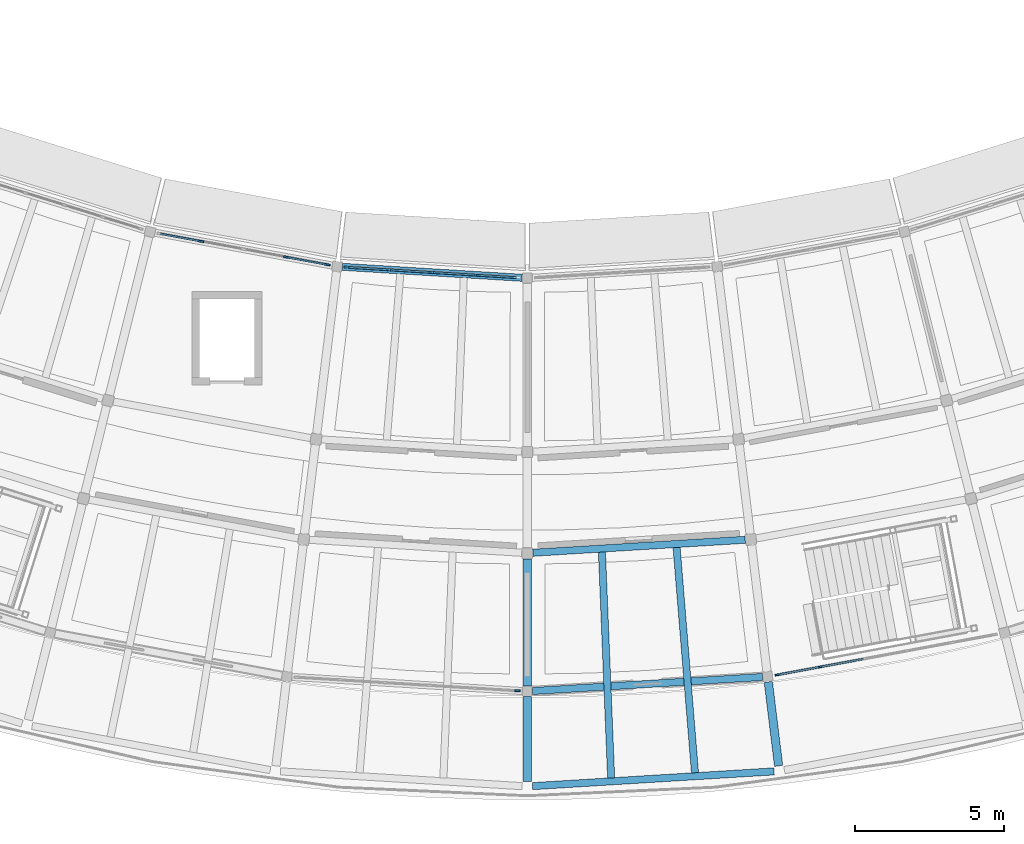
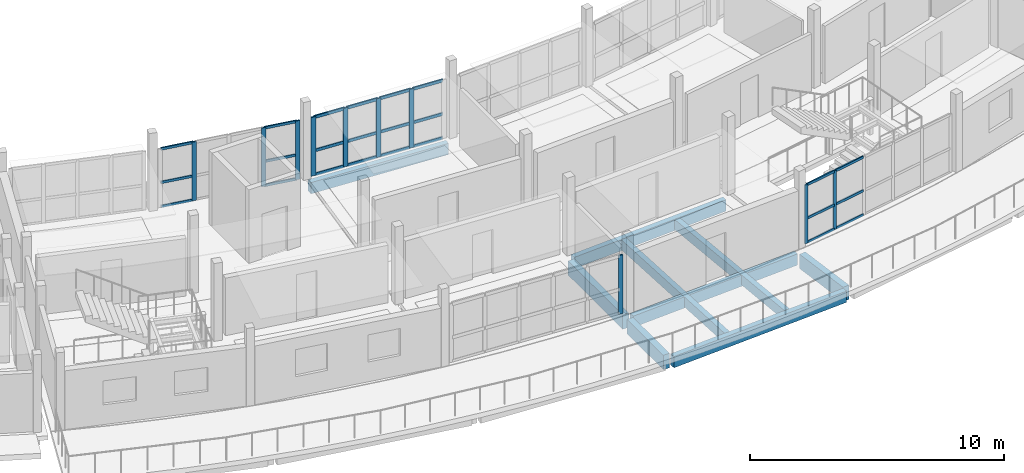
# One storey, part 10 of 24: 34 members, 9 beams, 4 elements without a shape of their own.
"""IFC4 building model written with IfcOpenShell, lengths in metres."""

from ifc_helpers import new_model, si_unit, direction, frame, origin, origin_2d, place, context, subcontext, project, spatial, rectangle, extrude, material, layer, layer_set, material_profile, profile_set, type_object, element, aggregate, save


model = new_model("IFC4")

# Units and contexts
model_context = context("Model", 3, precision=1e-05, world=origin(), true_north=direction((0.0, 1.0)))
body_context = subcontext(model_context, "Body", "Model", "MODEL_VIEW")
ifc_project = project(units=[si_unit("LENGTHUNIT", "METRE"), si_unit("AREAUNIT", "SQUARE_METRE"), si_unit("VOLUMEUNIT", "CUBIC_METRE"), si_unit("PLANEANGLEUNIT", "RADIAN"), si_unit("MASSUNIT", "GRAM", prefix="KILO")], contexts=[model_context])

# Site, building, storey
site_placement = place(None, origin())
site = spatial("IfcSite", under=ifc_project, at=site_placement, CompositionType="ELEMENT")
building_placement = place(site_placement, origin())
building = spatial("IfcBuilding", under=site, at=building_placement, Name="Caldaven Crescent School", CompositionType="ELEMENT")
storey_placement = place(building_placement, frame((0.0, 0.0, 15.639892578125)))
storey = spatial("IfcBuildingStorey", under=building, at=storey_placement, Name="L04", CompositionType="ELEMENT", Elevation=15.639892578125)

# Beams
ifc_material_1 = material(Name="Glulam MLE24h (GL28h)", Category="wood")
ifc_material_profile_1 = material_profile(ifc_material_1, rectangle(XDim=0.239990234375, YDim=0.5400390625, at=origin_2d()), Name="MLE 240x540")
ifc_profile_set_1 = profile_set([ifc_material_profile_1], Name="Glulam MLE24h (GL28h)")
beam_type_1 = type_object("IfcBeamType", Name="BM-GL54", PredefinedType="BEAM", material=ifc_profile_set_1)
beam_1_placement = place(storey_placement, frame((88.189697265625, 34.3115234375, -0.5), z_axis=(0.998134176177, 0.061058712299, 0.0), x_axis=(-0.061058712299, 0.998134176177, 0.0)))
element("IfcBeam", 1, at=beam_1_placement, inside=storey, type_object=beam_type_1, Name="BMT-V5-L04-1604", PredefinedType="BEAM", context=body_context, shape_type="SweptSolid", body=[
    extrude(rectangle(XDim=0.239990234375, YDim=0.5400390625, at=origin_2d()), origin(), (0.0, 0.0, 1.0), 7.1533203125),
])
beam_2_placement = place(storey_placement, frame((88.174560546875, 29.66064453125, -0.5), z_axis=(0.998135265601, 0.061040900749, 0.0), x_axis=(-0.061040900749, 0.998135265601, 0.0)))
element("IfcBeam", 2, at=beam_2_placement, inside=storey, type_object=beam_type_1, Name="BMT-V5-L04-1605", PredefinedType="BEAM", context=body_context, shape_type="SweptSolid", body=[
    extrude(rectangle(XDim=0.239990234375, YDim=0.5400390625, at=origin_2d()), origin(), (0.0, 0.0, 1.0), 7.751220703125),
])
ifc_material_profile_2 = material_profile(ifc_material_1, rectangle(XDim=0.280029296875, YDim=0.68994140625, at=origin_2d()), Name="MLE 280x690")
ifc_profile_set_2 = profile_set([ifc_material_profile_2], Name="Glulam MLE24h (GL28h)")
beam_type_2 = type_object("IfcBeamType", Name="BM-GL69", PredefinedType="BEAM", material=ifc_profile_set_2)
beam_3_placement = place(storey_placement, frame((88.0, 34.110107421875, -0.574951171875), z_axis=(0.0, -1.0, 0.0), x_axis=(1.0, 0.0, 0.0)))
element("IfcBeam", 3, at=beam_3_placement, inside=storey, type_object=beam_type_2, Name="BMR-V5-L04-1565", PredefinedType="BEAM", context=body_context, shape_type="SweptSolid", body=[
    extrude(rectangle(XDim=0.280029296875, YDim=0.68994140625, at=origin_2d()), origin(), (0.0, 0.0, 1.0), 4.28515625),
])
for number, where, z_axis, x_axis, name in (
    (4, (88.0, 29.47509765625, -0.574951171875), (0.0, -1.0, 0.0), (1.0, 0.0, 0.0), "BMR-V5-L04-1566"),
    (5, (96.107421875, 29.970947265625, -0.574951171875), (0.121809873861, -0.992553451775, 0.0), (0.992553451775, 0.121809873861, 0.0), "BMR-V5-L04-1570"),
):
    element("IfcBeam", number, at=place(storey_placement, frame(where, z_axis=z_axis, x_axis=x_axis)), inside=storey, type_object=beam_type_2, Name=name, PredefinedType="BEAM", context=body_context, shape_type="SweptSolid", body=[
        extrude(rectangle(XDim=0.280029296875, YDim=0.68994140625, at=origin_2d()), origin(), (0.0, 0.0, 1.0), 2.85009765625),
    ])

# Curtain wall, members
ifc_material_2 = material(Name="Anodised aluminium AA 6063-T6 and low-E double glazing", Category="aluminium")
ifc_layer_1 = layer(ifc_material_2, 0.169921875)
ifc_layer_set_1 = layer_set([ifc_layer_1], Name="Anodised aluminium AA 6063-T6 and low-E double glazing")
curtain_wall_type_1 = type_object("IfcCurtainWallType", Name="CW-SYS1", PredefinedType="NOTDEFINED", material=ifc_layer_set_1)
curtain_wall_1_placement = place(storey_placement, origin())
curtain_wall_1 = element("IfcCurtainWall", 6, at=curtain_wall_1_placement, inside=storey, type_object=curtain_wall_type_1, Name="CW-L04-175", PredefinedType="NOTDEFINED")
ifc_material_3 = material(Name="Anodised aluminium AA 6063-T6", Category="aluminium")
ifc_material_profile_3 = material_profile(ifc_material_3, rectangle(XDim=0.06005859375, YDim=0.14990234375, at=origin_2d()), Name="CWM 60x150")
ifc_profile_set_3 = profile_set([ifc_material_profile_3], Name="Anodised aluminium AA 6063-T6")
member_type_1 = type_object("IfcMemberType", Name="CWM-T1", PredefinedType="MULLION", material=ifc_profile_set_3)
member_1_placement = place(storey_placement, frame((96.410400390625, 30.20458984375, 0.0), z_axis=(0.0, 0.0, 1.0), x_axis=(-0.182236339268, 0.983254756739, 0.0)))
member_1 = element("IfcMember", 7, at=member_1_placement, type_object=member_type_1, Name="CW1 mullion 1", PredefinedType="MULLION", context=body_context, shape_type="SweptSolid", body=[
    extrude(rectangle(XDim=0.06005859375, YDim=0.14990234375, at=origin_2d()), origin(), (0.0, 0.0, 1.0), 2.820068359375),
])
member_2_placement = place(storey_placement, frame((97.856201171875, 30.47265625, 0.0), z_axis=(0.0, 0.0, 1.0), x_axis=(-0.182236339268, 0.983254756739, 0.0)))
member_2 = element("IfcMember", 8, at=member_2_placement, type_object=member_type_1, Name="CW1 mullion 2", PredefinedType="MULLION", context=body_context, shape_type="SweptSolid", body=[
    extrude(rectangle(XDim=0.06005859375, YDim=0.14990234375, at=origin_2d()), origin(), (0.0, 0.0, 1.0), 2.820068359375),
])

ifc_layer_2 = layer(ifc_material_2, 0.22998046875)
ifc_layer_set_2 = layer_set([ifc_layer_2], Name="Anodised aluminium AA 6063-T6 and low-E double glazing")
curtain_wall_type_2 = type_object("IfcCurtainWallType", Name="CW-SYS4", PredefinedType="NOTDEFINED", material=ifc_layer_set_2)
curtain_wall_2_placement = place(storey_placement, origin())
curtain_wall_2 = element("IfcCurtainWall", 9, at=curtain_wall_2_placement, inside=storey, type_object=curtain_wall_type_2, Name="CW-L04-170", PredefinedType="NOTDEFINED")
ifc_material_profile_4 = material_profile(ifc_material_3, rectangle(XDim=0.06494140625, YDim=0.179931640625, at=origin_2d()), Name="CWM 65x180")
ifc_profile_set_4 = profile_set([ifc_material_profile_4], Name="Anodised aluminium AA 6063-T6")
member_type_2 = type_object("IfcMemberType", Name="CWM-T2", PredefinedType="MULLION", material=ifc_profile_set_4)
member_3_placement = place(storey_placement, frame((77.032958984375, 44.788818359375, 0.0), z_axis=(0.0, 0.0, 1.0), x_axis=(0.182236405836, 0.983254744401, 0.0)))
member_3 = element("IfcMember", 10, at=member_3_placement, type_object=member_type_2, Name="CW4 mullion 2", PredefinedType="MULLION", context=body_context, shape_type="SweptSolid", body=[
    extrude(rectangle(XDim=0.06494140625, YDim=0.179931640625, at=origin_2d()), origin(), (0.0, 0.0, 1.0), 2.820068359375),
])
member_4_placement = place(storey_placement, frame((79.88623046875, 44.260009765625, 0.0), z_axis=(0.0, 0.0, 1.0), x_axis=(0.182236405836, 0.983254744401, 0.0)))
member_4 = element("IfcMember", 11, at=member_4_placement, type_object=member_type_2, Name="CW4 mullion 4", PredefinedType="MULLION", context=body_context, shape_type="SweptSolid", body=[
    extrude(rectangle(XDim=0.06494140625, YDim=0.179931640625, at=origin_2d()), origin(), (0.0, 0.0, 1.0), 2.820068359375),
])
member_5_placement = place(storey_placement, frame((81.281005859375, 44.00146484375, 0.0), z_axis=(0.0, 0.0, 1.0), x_axis=(0.182236405836, 0.983254744401, 0.0)))
member_5 = element("IfcMember", 12, at=member_5_placement, type_object=member_type_2, Name="CW4 mullion 5", PredefinedType="MULLION", context=body_context, shape_type="SweptSolid", body=[
    extrude(rectangle(XDim=0.06494140625, YDim=0.179931640625, at=origin_2d()), origin(), (0.0, 0.0, 1.0), 2.820068359375),
])

# Curtain wall, member
ifc_layer_3 = layer(ifc_material_2, 0.2099609375)
ifc_layer_set_3 = layer_set([ifc_layer_3], Name="Anodised aluminium AA 6063-T6 and low-E double glazing")
curtain_wall_type_3 = type_object("IfcCurtainWallType", Name="CW-SYS3", PredefinedType="NOTDEFINED", material=ifc_layer_set_3)
curtain_wall_3_placement = place(storey_placement, origin())
curtain_wall_3 = element("IfcCurtainWall", 13, at=curtain_wall_3_placement, inside=storey, type_object=curtain_wall_type_3, Name="CW-L04-172", PredefinedType="NOTDEFINED")
member_6_placement = place(storey_placement, frame((87.668212890625, 29.67041015625, 0.0), z_axis=(0.0, 0.0, 1.0), x_axis=(0.061049374755, 0.998134747337, 0.0)))
member_6 = element("IfcMember", 14, at=member_6_placement, type_object=member_type_2, Name="CW3 mullion 6", PredefinedType="MULLION", context=body_context, shape_type="SweptSolid", body=[
    extrude(rectangle(XDim=0.06494140625, YDim=0.179931640625, at=origin_2d()), origin(), (0.0, 0.0, 1.0), 2.820068359375),
])
aggregate(curtain_wall_3, [member_6])

# Curtain wall, members
curtain_wall_4_placement = place(storey_placement, origin())
curtain_wall_4 = element("IfcCurtainWall", 15, at=curtain_wall_4_placement, inside=storey, type_object=curtain_wall_type_1, Name="CW-L04-171", PredefinedType="NOTDEFINED")
ifc_material_profile_5 = material_profile(ifc_material_3, rectangle(XDim=0.070068359375, YDim=0.2099609375, at=origin_2d()), Name="CWM 70x210")
ifc_profile_set_5 = profile_set([ifc_material_profile_5], Name="Anodised aluminium AA 6063-T6")
member_type_3 = type_object("IfcMemberType", Name="CWM-T3", PredefinedType="MULLION", material=ifc_profile_set_5)
member_7_placement = place(storey_placement, frame((81.9423828125, 43.92041015625, 0.0), z_axis=(0.0, 0.0, 1.0), x_axis=(0.061049319496, 0.998134750717, 0.0)))
member_7 = element("IfcMember", 16, at=member_7_placement, type_object=member_type_3, Name="CW1 mullion 1", PredefinedType="MULLION", context=body_context, shape_type="SweptSolid", body=[
    extrude(rectangle(XDim=0.070068359375, YDim=0.2099609375, at=origin_2d()), origin(), (0.0, 0.0, 1.0), 2.820068359375),
])
member_8_placement = place(storey_placement, frame((83.355712890625, 43.833984375, 0.0), z_axis=(0.0, 0.0, 1.0), x_axis=(0.061049319496, 0.998134750717, 0.0)))
member_8 = element("IfcMember", 17, at=member_8_placement, type_object=member_type_3, Name="CW1 mullion 2", PredefinedType="MULLION", context=body_context, shape_type="SweptSolid", body=[
    extrude(rectangle(XDim=0.070068359375, YDim=0.2099609375, at=origin_2d()), origin(), (0.0, 0.0, 1.0), 2.820068359375),
])
member_9_placement = place(storey_placement, frame((84.803955078125, 43.745361328125, 0.0), z_axis=(0.0, 0.0, 1.0), x_axis=(0.061049319496, 0.998134750717, 0.0)))
member_9 = element("IfcMember", 18, at=member_9_placement, type_object=member_type_3, Name="CW1 mullion 3", PredefinedType="MULLION", context=body_context, shape_type="SweptSolid", body=[
    extrude(rectangle(XDim=0.070068359375, YDim=0.2099609375, at=origin_2d()), origin(), (0.0, 0.0, 1.0), 2.820068359375),
])
member_10_placement = place(storey_placement, frame((86.252197265625, 43.656982421875, 0.0), z_axis=(0.0, 0.0, 1.0), x_axis=(0.061049319496, 0.998134750717, 0.0)))
member_10 = element("IfcMember", 19, at=member_10_placement, type_object=member_type_3, Name="CW1 mullion 4", PredefinedType="MULLION", context=body_context, shape_type="SweptSolid", body=[
    extrude(rectangle(XDim=0.070068359375, YDim=0.2099609375, at=origin_2d()), origin(), (0.0, 0.0, 1.0), 2.820068359375),
])

# Member
ifc_material_profile_6 = material_profile(ifc_material_3, rectangle(XDim=0.06005859375, YDim=0.1201171875, at=origin_2d()), Name="CWT 60x120")
ifc_profile_set_6 = profile_set([ifc_material_profile_6], Name="Anodised aluminium AA 6063-T6")
member_type_4 = type_object("IfcMemberType", Name="CWT-T1", PredefinedType="USERDEFINED", material=ifc_profile_set_6)
member_11_placement = place(storey_placement, frame((75.670166015625, 45.04150390625, 0.030029296875), z_axis=(0.983264057672, -0.182186149009, 0.0), x_axis=(0.182186149009, 0.983264057672, 0.0)))
member_11 = element("IfcMember", 20, at=member_11_placement, type_object=member_type_4, Name="CW4 transom 1.1", ObjectType="TRANSOM", PredefinedType="USERDEFINED", context=body_context, shape_type="SweptSolid", body=[
    extrude(rectangle(XDim=0.06005859375, YDim=0.1201171875, at=origin_2d()), origin(), (0.0, 0.0, 1.0), 1.353515625),
])

member_12_placement = place(storey_placement, frame((75.670166015625, 45.04150390625, 1.18408203125), z_axis=(0.983264057672, -0.182186149009, 0.0), x_axis=(0.182186149009, 0.983264057672, 0.0)))
member_12 = element("IfcMember", 21, at=member_12_placement, type_object=member_type_4, Name="CW4 transom 1.2", ObjectType="TRANSOM", PredefinedType="USERDEFINED", context=body_context, shape_type="SweptSolid", body=[
    extrude(rectangle(XDim=0.06005859375, YDim=0.1201171875, at=origin_2d()), origin(), (0.0, 0.0, 1.0), 1.353515625),
])

member_13_placement = place(storey_placement, frame((75.670166015625, 45.04150390625, 2.7900390625), z_axis=(0.983264057672, -0.182186149009, 0.0), x_axis=(0.182186149009, 0.983264057672, 0.0)))
member_13 = element("IfcMember", 22, at=member_13_placement, type_object=member_type_4, Name="CW4 transom 1.3", ObjectType="TRANSOM", PredefinedType="USERDEFINED", context=body_context, shape_type="SweptSolid", body=[
    extrude(rectangle(XDim=0.06005859375, YDim=0.1201171875, at=origin_2d()), origin(), (0.0, 0.0, 1.0), 1.353515625),
])

member_14_placement = place(storey_placement, frame((79.918212890625, 44.254150390625, 0.030029296875), z_axis=(0.983264057672, -0.182186149009, 0.0), x_axis=(0.182186149009, 0.983264057672, 0.0)))
member_14 = element("IfcMember", 23, at=member_14_placement, type_object=member_type_4, Name="CW4 transom 4.1", ObjectType="TRANSOM", PredefinedType="USERDEFINED", context=body_context, shape_type="SweptSolid", body=[
    extrude(rectangle(XDim=0.06005859375, YDim=0.1201171875, at=origin_2d()), origin(), (0.0, 0.0, 1.0), 1.353515625),
])

member_15_placement = place(storey_placement, frame((79.918212890625, 44.254150390625, 1.18408203125), z_axis=(0.983264057672, -0.182186149009, 0.0), x_axis=(0.182186149009, 0.983264057672, 0.0)))
member_15 = element("IfcMember", 24, at=member_15_placement, type_object=member_type_4, Name="CW4 transom 4.2", ObjectType="TRANSOM", PredefinedType="USERDEFINED", context=body_context, shape_type="SweptSolid", body=[
    extrude(rectangle(XDim=0.06005859375, YDim=0.1201171875, at=origin_2d()), origin(), (0.0, 0.0, 1.0), 1.353515625),
])

member_16_placement = place(storey_placement, frame((79.918212890625, 44.254150390625, 2.7900390625), z_axis=(0.983264057672, -0.182186149009, 0.0), x_axis=(0.182186149009, 0.983264057672, 0.0)))
member_16 = element("IfcMember", 25, at=member_16_placement, type_object=member_type_4, Name="CW4 transom 4.3", ObjectType="TRANSOM", PredefinedType="USERDEFINED", context=body_context, shape_type="SweptSolid", body=[
    extrude(rectangle(XDim=0.06005859375, YDim=0.1201171875, at=origin_2d()), origin(), (0.0, 0.0, 1.0), 1.353515625),
])

aggregate(curtain_wall_2, [member_3, member_4, member_5, member_11, member_12, member_13, member_14, member_15, member_16])

member_17_placement = place(storey_placement, frame((96.43994140625, 30.210205078125, 0.030029296875), z_axis=(0.983277412836, 0.182114056039, 0.0), x_axis=(-0.182114056039, 0.983277412836, 0.0)))
member_17 = element("IfcMember", 26, at=member_17_placement, type_object=member_type_4, Name="CW1 transom 1.1", ObjectType="TRANSOM", PredefinedType="USERDEFINED", context=body_context, shape_type="SweptSolid", body=[
    extrude(rectangle(XDim=0.06005859375, YDim=0.1201171875, at=origin_2d()), origin(), (0.0, 0.0, 1.0), 1.410400390625),
])

member_18_placement = place(storey_placement, frame((96.43994140625, 30.210205078125, 1.18408203125), z_axis=(0.983277412836, 0.182114056039, 0.0), x_axis=(-0.182114056039, 0.983277412836, 0.0)))
member_18 = element("IfcMember", 27, at=member_18_placement, type_object=member_type_4, Name="CW1 transom 1.2", ObjectType="TRANSOM", PredefinedType="USERDEFINED", context=body_context, shape_type="SweptSolid", body=[
    extrude(rectangle(XDim=0.06005859375, YDim=0.1201171875, at=origin_2d()), origin(), (0.0, 0.0, 1.0), 1.410400390625),
])

member_19_placement = place(storey_placement, frame((96.43994140625, 30.210205078125, 2.7900390625), z_axis=(0.983277412836, 0.182114056039, 0.0), x_axis=(-0.182114056039, 0.983277412836, 0.0)))
member_19 = element("IfcMember", 28, at=member_19_placement, type_object=member_type_4, Name="CW1 transom 1.3", ObjectType="TRANSOM", PredefinedType="USERDEFINED", context=body_context, shape_type="SweptSolid", body=[
    extrude(rectangle(XDim=0.06005859375, YDim=0.1201171875, at=origin_2d()), origin(), (0.0, 0.0, 1.0), 1.410400390625),
])

member_20_placement = place(storey_placement, frame((97.885498046875, 30.47802734375, 0.030029296875), z_axis=(0.983259517613, 0.182210650135, 0.0), x_axis=(-0.182210650135, 0.983259517613, 0.0)))
member_20 = element("IfcMember", 29, at=member_20_placement, type_object=member_type_4, Name="CW1 transom 2.1", ObjectType="TRANSOM", PredefinedType="USERDEFINED", context=body_context, shape_type="SweptSolid", body=[
    extrude(rectangle(XDim=0.06005859375, YDim=0.1201171875, at=origin_2d()), origin(), (0.0, 0.0, 1.0), 1.4404296875),
])

member_21_placement = place(storey_placement, frame((97.885498046875, 30.47802734375, 1.18408203125), z_axis=(0.983259517613, 0.182210650135, 0.0), x_axis=(-0.182210650135, 0.983259517613, 0.0)))
member_21 = element("IfcMember", 30, at=member_21_placement, type_object=member_type_4, Name="CW1 transom 2.2", ObjectType="TRANSOM", PredefinedType="USERDEFINED", context=body_context, shape_type="SweptSolid", body=[
    extrude(rectangle(XDim=0.06005859375, YDim=0.1201171875, at=origin_2d()), origin(), (0.0, 0.0, 1.0), 1.4404296875),
])

member_22_placement = place(storey_placement, frame((97.885498046875, 30.47802734375, 2.7900390625), z_axis=(0.983259517613, 0.182210650135, 0.0), x_axis=(-0.182210650135, 0.983259517613, 0.0)))
member_22 = element("IfcMember", 31, at=member_22_placement, type_object=member_type_4, Name="CW1 transom 2.3", ObjectType="TRANSOM", PredefinedType="USERDEFINED", context=body_context, shape_type="SweptSolid", body=[
    extrude(rectangle(XDim=0.06005859375, YDim=0.1201171875, at=origin_2d()), origin(), (0.0, 0.0, 1.0), 1.4404296875),
])

aggregate(curtain_wall_1, [member_1, member_2, member_17, member_18, member_19, member_20, member_21, member_22])

ifc_material_profile_7 = material_profile(ifc_material_3, rectangle(XDim=0.06494140625, YDim=0.139892578125, at=origin_2d()), Name="CWT 65x140")
ifc_profile_set_7 = profile_set([ifc_material_profile_7], Name="Anodised aluminium AA 6063-T6")
member_type_5 = type_object("IfcMemberType", Name="CWT-T2", PredefinedType="USERDEFINED", material=ifc_profile_set_7)
member_23_placement = place(storey_placement, frame((81.977294921875, 43.91845703125, 0.03271484375), z_axis=(0.998130130323, -0.06112481445, 0.0), x_axis=(0.06112481445, 0.998130130323, 0.0)))
member_23 = element("IfcMember", 32, at=member_23_placement, type_object=member_type_5, Name="CW1 transom 1.1", ObjectType="TRANSOM", PredefinedType="USERDEFINED", context=body_context, shape_type="SweptSolid", body=[
    extrude(rectangle(XDim=0.06494140625, YDim=0.139892578125, at=origin_2d()), origin(), (0.0, 0.0, 1.0), 1.345947265625),
])

member_24_placement = place(storey_placement, frame((81.977294921875, 43.91845703125, 1.18408203125), z_axis=(0.998130130323, -0.06112481445, 0.0), x_axis=(0.06112481445, 0.998130130323, 0.0)))
member_24 = element("IfcMember", 33, at=member_24_placement, type_object=member_type_5, Name="CW1 transom 1.2", ObjectType="TRANSOM", PredefinedType="USERDEFINED", context=body_context, shape_type="SweptSolid", body=[
    extrude(rectangle(XDim=0.06494140625, YDim=0.139892578125, at=origin_2d()), origin(), (0.0, 0.0, 1.0), 1.345947265625),
])

member_25_placement = place(storey_placement, frame((81.977294921875, 43.91845703125, 2.78759765625), z_axis=(0.998130130323, -0.06112481445, 0.0), x_axis=(0.06112481445, 0.998130130323, 0.0)))
member_25 = element("IfcMember", 34, at=member_25_placement, type_object=member_type_5, Name="CW1 transom 1.3", ObjectType="TRANSOM", PredefinedType="USERDEFINED", context=body_context, shape_type="SweptSolid", body=[
    extrude(rectangle(XDim=0.06494140625, YDim=0.139892578125, at=origin_2d()), origin(), (0.0, 0.0, 1.0), 1.345947265625),
])

member_26_placement = place(storey_placement, frame((83.390625, 43.83203125, 0.03271484375), z_axis=(0.998127510881, -0.061167573285, 0.0), x_axis=(0.061167573285, 0.998127510881, 0.0)))
member_26 = element("IfcMember", 35, at=member_26_placement, type_object=member_type_5, Name="CW1 transom 2.1", ObjectType="TRANSOM", PredefinedType="USERDEFINED", context=body_context, shape_type="SweptSolid", body=[
    extrude(rectangle(XDim=0.06494140625, YDim=0.139892578125, at=origin_2d()), origin(), (0.0, 0.0, 1.0), 1.381103515625),
])

member_27_placement = place(storey_placement, frame((83.390625, 43.83203125, 1.18408203125), z_axis=(0.998127510881, -0.061167573285, 0.0), x_axis=(0.061167573285, 0.998127510881, 0.0)))
member_27 = element("IfcMember", 36, at=member_27_placement, type_object=member_type_5, Name="CW1 transom 2.2", ObjectType="TRANSOM", PredefinedType="USERDEFINED", context=body_context, shape_type="SweptSolid", body=[
    extrude(rectangle(XDim=0.06494140625, YDim=0.139892578125, at=origin_2d()), origin(), (0.0, 0.0, 1.0), 1.381103515625),
])

member_28_placement = place(storey_placement, frame((83.390625, 43.83203125, 2.78759765625), z_axis=(0.998127510881, -0.061167573285, 0.0), x_axis=(0.061167573285, 0.998127510881, 0.0)))
member_28 = element("IfcMember", 37, at=member_28_placement, type_object=member_type_5, Name="CW1 transom 2.3", ObjectType="TRANSOM", PredefinedType="USERDEFINED", context=body_context, shape_type="SweptSolid", body=[
    extrude(rectangle(XDim=0.06494140625, YDim=0.139892578125, at=origin_2d()), origin(), (0.0, 0.0, 1.0), 1.381103515625),
])

member_29_placement = place(storey_placement, frame((84.8388671875, 43.743408203125, 0.03271484375), z_axis=(0.998127510881, -0.061167573285, 0.0), x_axis=(0.061167573285, 0.998127510881, 0.0)))
member_29 = element("IfcMember", 38, at=member_29_placement, type_object=member_type_5, Name="CW1 transom 3.1", ObjectType="TRANSOM", PredefinedType="USERDEFINED", context=body_context, shape_type="SweptSolid", body=[
    extrude(rectangle(XDim=0.06494140625, YDim=0.139892578125, at=origin_2d()), origin(), (0.0, 0.0, 1.0), 1.381103515625),
])

member_30_placement = place(storey_placement, frame((84.8388671875, 43.743408203125, 1.18408203125), z_axis=(0.998127510881, -0.061167573285, 0.0), x_axis=(0.061167573285, 0.998127510881, 0.0)))
member_30 = element("IfcMember", 39, at=member_30_placement, type_object=member_type_5, Name="CW1 transom 3.2", ObjectType="TRANSOM", PredefinedType="USERDEFINED", context=body_context, shape_type="SweptSolid", body=[
    extrude(rectangle(XDim=0.06494140625, YDim=0.139892578125, at=origin_2d()), origin(), (0.0, 0.0, 1.0), 1.381103515625),
])

member_31_placement = place(storey_placement, frame((84.8388671875, 43.743408203125, 2.78759765625), z_axis=(0.998127510881, -0.061167573285, 0.0), x_axis=(0.061167573285, 0.998127510881, 0.0)))
member_31 = element("IfcMember", 40, at=member_31_placement, type_object=member_type_5, Name="CW1 transom 3.3", ObjectType="TRANSOM", PredefinedType="USERDEFINED", context=body_context, shape_type="SweptSolid", body=[
    extrude(rectangle(XDim=0.06494140625, YDim=0.139892578125, at=origin_2d()), origin(), (0.0, 0.0, 1.0), 1.381103515625),
])

member_32_placement = place(storey_placement, frame((86.287109375, 43.65478515625, 0.03271484375), z_axis=(0.998130130323, -0.06112481445, 0.0), x_axis=(0.06112481445, 0.998130130323, 0.0)))
member_32 = element("IfcMember", 41, at=member_32_placement, type_object=member_type_5, Name="CW1 transom 4.1", ObjectType="TRANSOM", PredefinedType="USERDEFINED", context=body_context, shape_type="SweptSolid", body=[
    extrude(rectangle(XDim=0.06494140625, YDim=0.139892578125, at=origin_2d()), origin(), (0.0, 0.0, 1.0), 1.345947265625),
])

member_33_placement = place(storey_placement, frame((86.287109375, 43.65478515625, 1.18408203125), z_axis=(0.998130130323, -0.06112481445, 0.0), x_axis=(0.06112481445, 0.998130130323, 0.0)))
member_33 = element("IfcMember", 42, at=member_33_placement, type_object=member_type_5, Name="CW1 transom 4.2", ObjectType="TRANSOM", PredefinedType="USERDEFINED", context=body_context, shape_type="SweptSolid", body=[
    extrude(rectangle(XDim=0.06494140625, YDim=0.139892578125, at=origin_2d()), origin(), (0.0, 0.0, 1.0), 1.345947265625),
])

member_34_placement = place(storey_placement, frame((86.287109375, 43.65478515625, 2.78759765625), z_axis=(0.998130130323, -0.06112481445, 0.0), x_axis=(0.06112481445, 0.998130130323, 0.0)))
member_34 = element("IfcMember", 43, at=member_34_placement, type_object=member_type_5, Name="CW1 transom 4.3", ObjectType="TRANSOM", PredefinedType="USERDEFINED", context=body_context, shape_type="SweptSolid", body=[
    extrude(rectangle(XDim=0.06494140625, YDim=0.139892578125, at=origin_2d()), origin(), (0.0, 0.0, 1.0), 1.345947265625),
])

aggregate(curtain_wall_4, [member_7, member_8, member_9, member_10, member_23, member_24, member_25, member_26, member_27, member_28, member_29, member_30, member_31, member_32, member_33, member_34])

# Beams
ifc_material_profile_8 = material_profile(ifc_material_1, rectangle(XDim=0.239990234375, YDim=0.47998046875, at=origin_2d()), Name="MLE 240x480")
ifc_profile_set_8 = profile_set([ifc_material_profile_8], Name="Glulam MLE24h (GL28h)")
beam_type_3 = type_object("IfcBeamType", Name="JS-GL48", PredefinedType="JOIST", material=ifc_profile_set_8)
for number, where, z_axis, x_axis, name in (
    (44, (90.51123046875, 34.33837890625, -0.469970703125), (0.040664012435, -0.99917287698, 0.0), (0.99917287698, 0.040664012435, 0.0), "JSR-V5-L04-1608"),
    (45, (93.022216796875, 34.491943359375, -0.469970703125), (0.081390637837, -0.996682278398, 0.0), (0.996682278398, 0.081390637837, 0.0), "JSR-V5-L04-1610"),
):
    element("IfcBeam", number, at=place(storey_placement, frame(where, z_axis=z_axis, x_axis=x_axis)), inside=storey, type_object=beam_type_3, Name=name, PredefinedType="JOIST", context=body_context, shape_type="SweptSolid", body=[
        extrude(rectangle(XDim=0.239990234375, YDim=0.47998046875, at=origin_2d()), origin(), (0.0, 0.0, 1.0), 7.60693359375),
    ])
ifc_material_profile_9 = material_profile(ifc_material_1, rectangle(XDim=0.239990234375, YDim=0.5400390625, at=origin_2d()), Name="MLE 240x540")
ifc_profile_set_9 = profile_set([ifc_material_profile_9], Name="Glulam MLE24h (GL28h)")
beam_type_4 = type_object("IfcBeamType", Name="SP-GL54", PredefinedType="SPANDREL", material=ifc_profile_set_9)
beam_4_placement = place(storey_placement, frame((81.78271484375, 43.93017578125, -0.5), z_axis=(0.998136852205, -0.061014951209, 0.0), x_axis=(0.061014951209, 0.998136852205, 0.0)))
element("IfcBeam", 46, at=beam_4_placement, inside=storey, type_object=beam_type_4, Name="BMT-V5-L04-1593", PredefinedType="SPANDREL", context=body_context, shape_type="SweptSolid", body=[
    extrude(rectangle(XDim=0.239990234375, YDim=0.5400390625, at=origin_2d()), origin(), (0.0, 0.0, 1.0), 6.053955078125),
])
beam_5_placement = place(storey_placement, frame((88.174560546875, 26.460693359375, -0.5), z_axis=(0.998134652496, 0.061050925361, 0.0), x_axis=(-0.061050925361, 0.998134652496, 0.0)))
element("IfcBeam", 47, at=beam_5_placement, inside=storey, type_object=beam_type_4, Name="BMT-V5-L04-1606", PredefinedType="SPANDREL", context=body_context, shape_type="SweptSolid", body=[
    extrude(rectangle(XDim=0.239990234375, YDim=0.5400390625, at=origin_2d()), origin(), (0.0, 0.0, 1.0), 8.141845703125),
])

save(model, "model.ifc")
